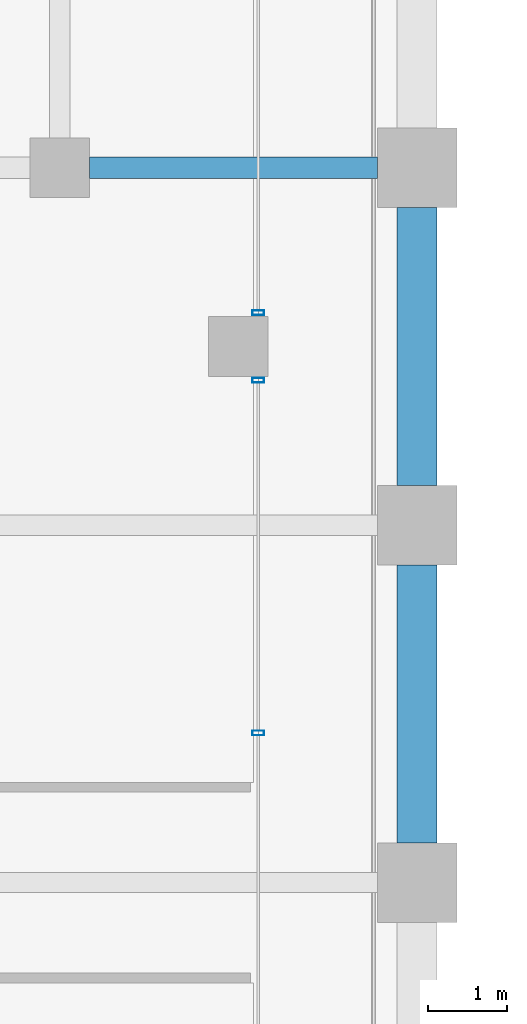
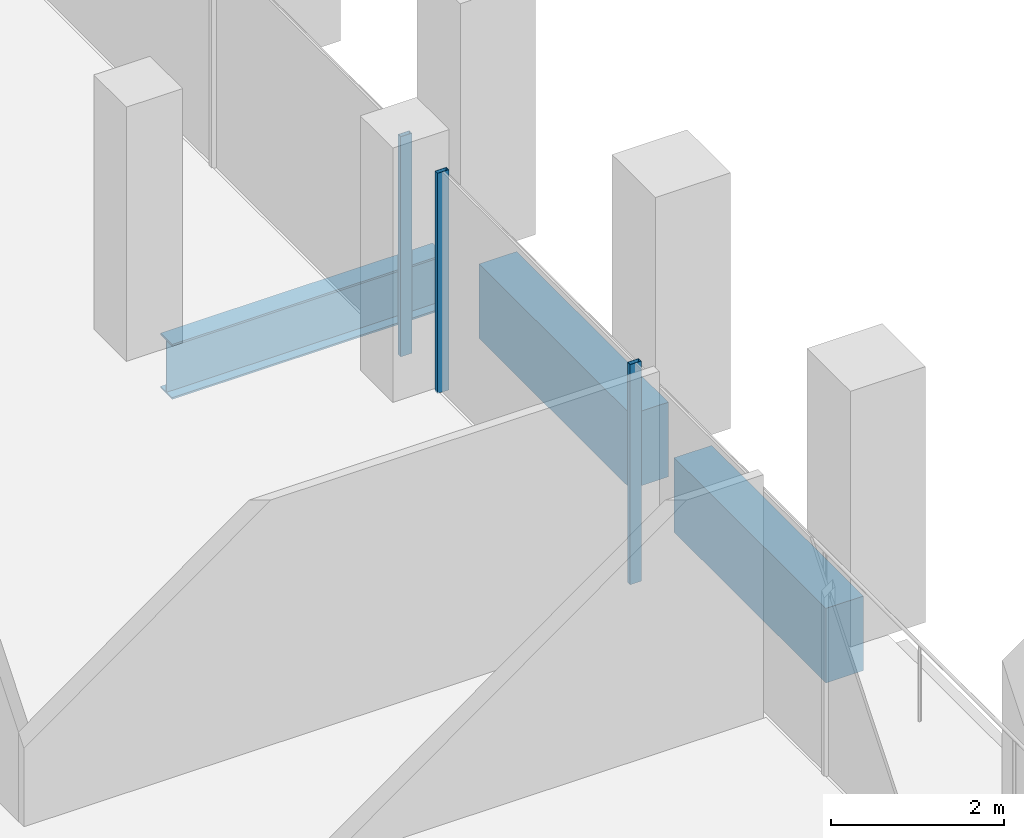
# One storey, part 19 of 46: 3 beams, 3 members, 2 elements without a shape of their own.
"""IFC4 building model written with IfcOpenShell, lengths in metres."""

from ifc_helpers import new_model, si_unit, direction, frame, origin, origin_2d, place, context, subcontext, project, spatial, rectangle, hollow_rectangle, i_section, extrude, material, material_profile, profile_set, type_object, element, aggregate, save


model = new_model("IFC4")

# Units and contexts
model_context = context("Model", 3, precision=1e-05, world=origin(), true_north=direction((0.0, 1.0)))
body_context = subcontext(model_context, "Body", "Model", "MODEL_VIEW")
ifc_project = project(units=[si_unit("LENGTHUNIT", "METRE"), si_unit("AREAUNIT", "SQUARE_METRE"), si_unit("VOLUMEUNIT", "CUBIC_METRE"), si_unit("PLANEANGLEUNIT", "RADIAN"), si_unit("MASSUNIT", "GRAM", prefix="KILO")], contexts=[model_context])

# Site, building, storey
site_placement = place(None, origin())
site = spatial("IfcSite", under=ifc_project, at=site_placement, CompositionType="ELEMENT")
building_placement = place(site_placement, origin())
building = spatial("IfcBuilding", under=site, at=building_placement, Name="Altepetl Exchange Towers", CompositionType="ELEMENT")
storey_placement = place(building_placement, frame((0.0, 0.0, 120.800048828125)))
storey = spatial("IfcBuildingStorey", under=building, at=storey_placement, Name="L29", CompositionType="ELEMENT", Elevation=120.800048828125)

# Beam
ifc_material_1 = material(Name="Steel S355", Category="steel")
ifc_material_profile_1 = material_profile(ifc_material_1, i_section(OverallWidth=0.26806640625, OverallDepth=0.77392578125, WebThickness=0.015380859375, FlangeThickness=0.025390625, at=origin_2d()), Name="W30X132")
ifc_profile_set_1 = profile_set([ifc_material_profile_1], Name="Steel S355")
beam_type_1 = type_object("IfcBeamType", Name="Girder W30X132", PredefinedType="BEAM", material=ifc_profile_set_1)
beam_placement = place(storey_placement, frame((67.875, 58.5, -0.537109375), z_axis=(1.0, 0.0, 0.0), x_axis=(0.0, 1.0, 0.0)))
element("IfcBeam", 1, at=beam_placement, inside=storey, type_object=beam_type_1, Name="gd:A:L29:002", PredefinedType="BEAM", context=body_context, shape_type="SweptSolid", body=[
    extrude(i_section(OverallWidth=0.26806640625, OverallDepth=0.77392578125, WebThickness=0.015380859375, FlangeThickness=0.025390625, at=origin_2d()), origin(), (0.0, 0.0, 1.0), 3.625),
])

# Curtain wall, members
ifc_material_2 = material(Name="Aluminium 6063-T6 glazing", Category="aluminium")
curtain_wall_type = type_object("IfcCurtainWallType", Name="Loggia glazing system", PredefinedType="NOTDEFINED", material=ifc_material_2)
curtain_wall_1_placement = place(storey_placement, origin())
curtain_wall_1 = element("IfcCurtainWall", 2, at=curtain_wall_1_placement, inside=storey, type_object=curtain_wall_type, Name="CW1 run", PredefinedType="NOTDEFINED")
ifc_material_3 = material(Name="Aluminium 6063-T6", Category="aluminium")
ifc_material_profile_2 = material_profile(ifc_material_3, hollow_rectangle(XDim=0.06005859375, YDim=0.14990234375, WallThickness=0.0029296875, at=origin_2d()), Name="Mullion 60x150 aluminium")
ifc_profile_set_2 = profile_set([ifc_material_profile_2], Name="Aluminium 6063-T6")
member_type = type_object("IfcMemberType", Name="Mullion 60x150 aluminium", PredefinedType="MULLION", material=ifc_profile_set_2)
member_1_placement = place(storey_placement, frame((70.0, 51.384033203125, 0.0), z_axis=(0.0, 0.0, 1.0), x_axis=(0.0, 1.0, 0.0)))
member_1 = element("IfcMember", 3, at=member_1_placement, type_object=member_type, Name="MU1 mullion", PredefinedType="MULLION", context=body_context, shape_type="SweptSolid", body=[
    extrude(hollow_rectangle(XDim=0.06005859375, YDim=0.14990234375, WallThickness=0.0029296875, at=origin_2d()), origin(), (0.0, 0.0, 1.0), 3.099853515625),
])
member_2_placement = place(storey_placement, frame((70.0, 55.824951171875, 0.0), z_axis=(0.0, 0.0, 1.0), x_axis=(0.0, 1.0, 0.0)))
member_2 = element("IfcMember", 4, at=member_2_placement, type_object=member_type, Name="MU1 mullion", PredefinedType="MULLION", context=body_context, shape_type="SweptSolid", body=[
    extrude(hollow_rectangle(XDim=0.06005859375, YDim=0.14990234375, WallThickness=0.0029296875, at=origin_2d()), origin(), (0.0, 0.0, 1.0), 3.099853515625),
])
aggregate(curtain_wall_1, [member_1, member_2])

# Curtain wall, member
curtain_wall_2_placement = place(storey_placement, origin())
curtain_wall_2 = element("IfcCurtainWall", 5, at=curtain_wall_2_placement, inside=storey, type_object=curtain_wall_type, Name="CW1 run", PredefinedType="NOTDEFINED")
member_3_placement = place(storey_placement, frame((70.0, 56.675048828125, 0.0), z_axis=(0.0, 0.0, 1.0), x_axis=(0.0, 1.0, 0.0)))
member_3 = element("IfcMember", 6, at=member_3_placement, type_object=member_type, Name="MU1 mullion", PredefinedType="MULLION", context=body_context, shape_type="SweptSolid", body=[
    extrude(hollow_rectangle(XDim=0.06005859375, YDim=0.14990234375, WallThickness=0.0029296875, at=origin_2d()), origin(), (0.0, 0.0, 1.0), 3.099853515625),
])
aggregate(curtain_wall_2, [member_3])

# Beams
ifc_material_4 = material(Name="Concrete C50/60 precast with cantera amarilla facing", Category="concrete")
ifc_material_profile_3 = material_profile(ifc_material_4, rectangle(XDim=0.5, YDim=1.050048828125, at=origin_2d()), Name="500 x 1050")
ifc_profile_set_3 = profile_set([ifc_material_profile_3], Name="Concrete C50/60 precast with cantera amarilla facing")
beam_type_2 = type_object("IfcBeamType", Name="Spandrel beam 500x1050 cantera amarilla", PredefinedType="SPANDREL", material=ifc_profile_set_3)
for number, where, z_axis, x_axis, name in (
    (7, (72.0, 50.0, -0.675048828125), (0.0, 1.0, 0.0), (-1.0, 0.0, 0.0), "sp:A:L29:016"),
    (8, (72.0, 54.5, -0.675048828125), (0.0, 1.0, 0.0), (-1.0, 0.0, 0.0), "sp:A:L29:017"),
):
    element("IfcBeam", number, at=place(storey_placement, frame(where, z_axis=z_axis, x_axis=x_axis)), inside=storey, type_object=beam_type_2, Name=name, PredefinedType="SPANDREL", context=body_context, shape_type="SweptSolid", body=[
        extrude(rectangle(XDim=0.5, YDim=1.050048828125, at=origin_2d()), origin(), (0.0, 0.0, 1.0), 3.5),
    ])

save(model, "model.ifc")
